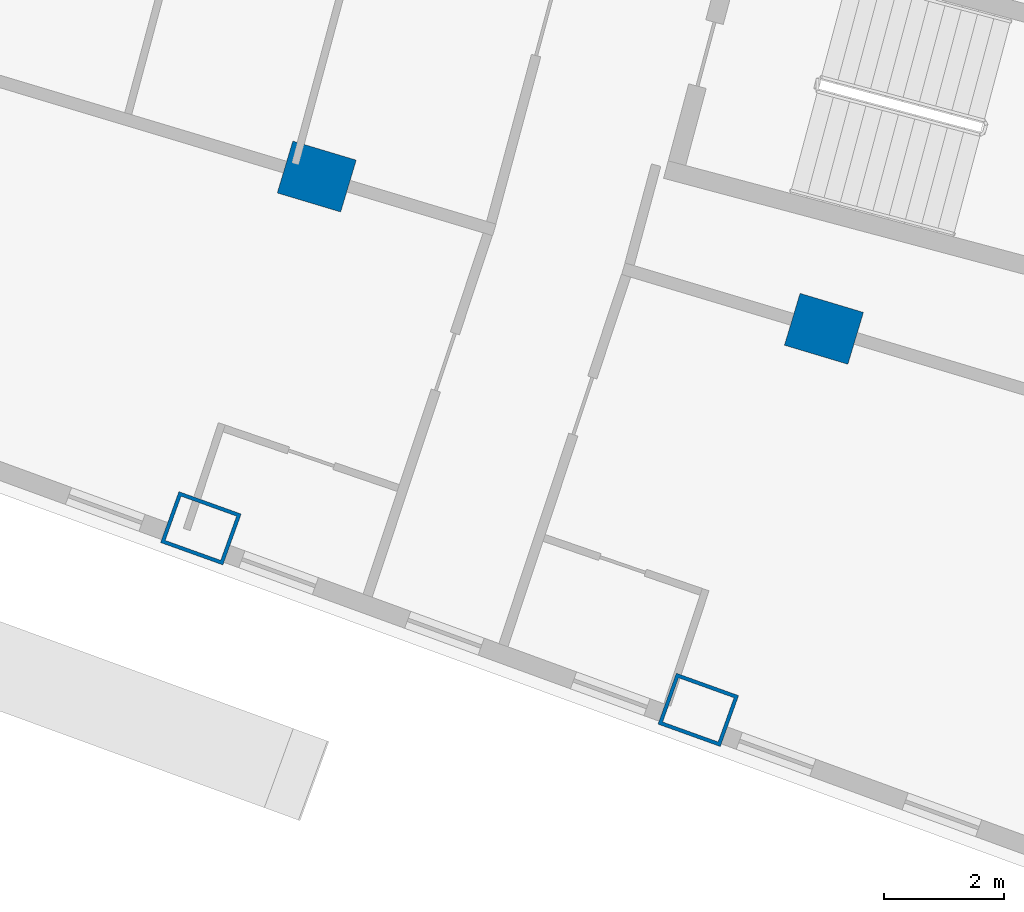
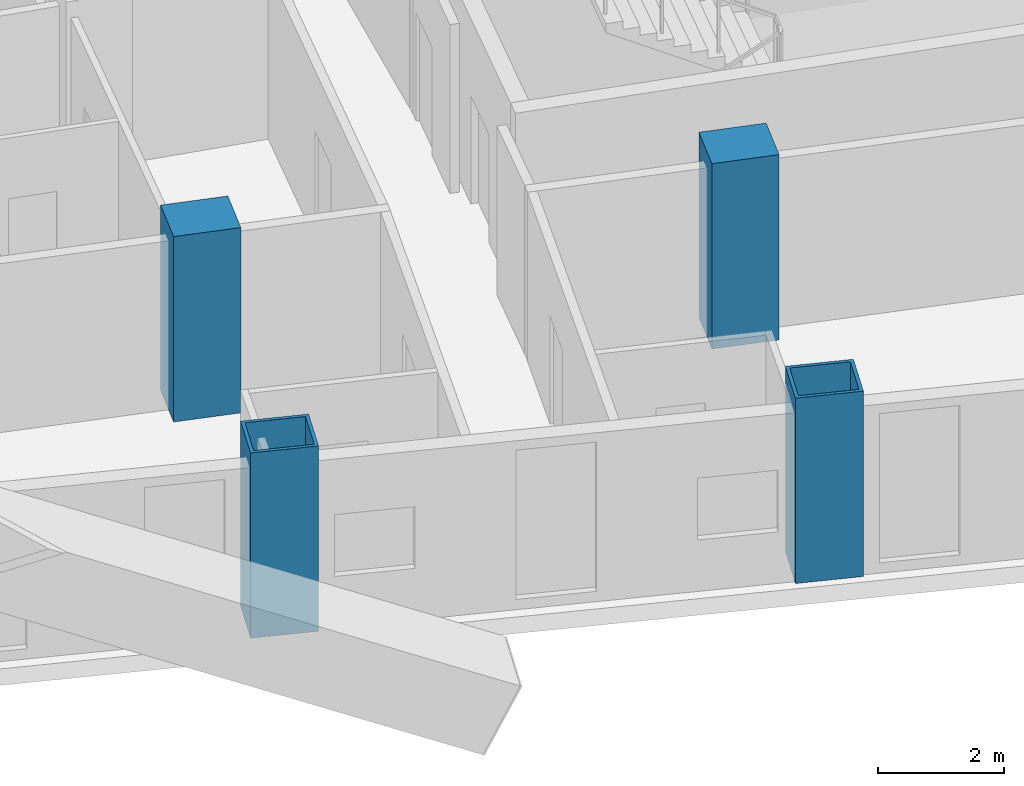
# One storey, part 2 of 25: 4 columns.
"""IFC4 building model written with IfcOpenShell, lengths in metres."""

from ifc_helpers import new_model, si_unit, direction, frame, origin, origin_2d, place, context, subcontext, project, spatial, rectangle, hollow_rectangle, extrude, material, material_profile, profile_set, type_object, element, save


model = new_model("IFC4")

# Units and contexts
model_context = context("Model", 3, precision=1e-05, world=origin(), true_north=direction((0.0, 1.0)))
body_context = subcontext(model_context, "Body", "Model", "MODEL_VIEW")
ifc_project = project(units=[si_unit("LENGTHUNIT", "METRE"), si_unit("AREAUNIT", "SQUARE_METRE"), si_unit("VOLUMEUNIT", "CUBIC_METRE"), si_unit("PLANEANGLEUNIT", "RADIAN"), si_unit("MASSUNIT", "GRAM", prefix="KILO")], contexts=[model_context])

# Site, building, storey
site_placement = place(None, origin())
site = spatial("IfcSite", under=ifc_project, at=site_placement, CompositionType="ELEMENT")
building_placement = place(site_placement, origin())
building = spatial("IfcBuilding", under=site, at=building_placement, Name="Alderwake Tower", CompositionType="ELEMENT")
storey_placement = place(building_placement, frame((0.0, 0.0, 64.39990234375)))
storey = spatial("IfcBuildingStorey", under=building, at=storey_placement, Name="L15", CompositionType="ELEMENT", Elevation=64.39990234375)

# Columns
ifc_material_1 = material(Name="Steel ASTM A572 Grade 50 concrete filled C70/85", Category="concrete")
ifc_material_profile_1 = material_profile(ifc_material_1, hollow_rectangle(XDim=0.89990234375, YDim=1.10009765625, WallThickness=0.06005859375, at=origin_2d()), Name="BOX 1100X900X60")
ifc_profile_set_1 = profile_set([ifc_material_profile_1], Name="Steel ASTM A572 Grade 50 concrete filled C70/85")
column_type_1 = type_object("IfcColumnType", Name="End column Z1", PredefinedType="COLUMN", material=ifc_profile_set_1)
for number, where, z_axis, x_axis, name in (
    (1, (28.983642578125, 21.856689453125, 0.0), (0.0, 0.0, 1.0), (0.338026774049, 0.941136493834, 0.0), "Column R01-C2"),
    (2, (37.250244140625, 18.839111328125, 0.0), (0.0, 0.0, 1.0), (0.3383700535, 0.941013127907, 0.0), "Column R01-C3"),
):
    element("IfcColumn", number, at=place(storey_placement, frame(where, z_axis=z_axis, x_axis=x_axis)), inside=storey, type_object=column_type_1, Name=name, PredefinedType="COLUMN", context=body_context, shape_type="SweptSolid", body=[
        extrude(hollow_rectangle(XDim=0.89990234375, YDim=1.10009765625, WallThickness=0.06005859375, at=origin_2d()), origin(), (0.0, 0.0, 1.0), 3.60009765625),
    ])
ifc_material_2 = material(Name="Concrete C70/85", Category="concrete")
ifc_material_profile_2 = material_profile(ifc_material_2, rectangle(XDim=0.89990234375, YDim=1.10009765625, at=origin_2d()), Name="RC 1100X900")
ifc_profile_set_2 = profile_set([ifc_material_profile_2], Name="Concrete C70/85")
column_type_2 = type_object("IfcColumnType", Name="Interior column Z1", PredefinedType="COLUMN", material=ifc_profile_set_2)
for number, where, z_axis, x_axis, name in (
    (3, (30.9091796875, 27.701904296875, 0.0), (0.0, 0.0, 1.0), (0.287549418125, 0.957765802342, 0.0), "Column R02-C2"),
    (4, (39.337646484375, 25.17138671875, 0.0), (0.0, 0.0, 1.0), (0.287549418125, 0.957765802342, 0.0), "Column R02-C3"),
):
    element("IfcColumn", number, at=place(storey_placement, frame(where, z_axis=z_axis, x_axis=x_axis)), inside=storey, type_object=column_type_2, Name=name, PredefinedType="COLUMN", context=body_context, shape_type="SweptSolid", body=[
        extrude(rectangle(XDim=0.89990234375, YDim=1.10009765625, at=origin_2d()), origin(), (0.0, 0.0, 1.0), 3.60009765625),
    ])

save(model, "model.ifc")
